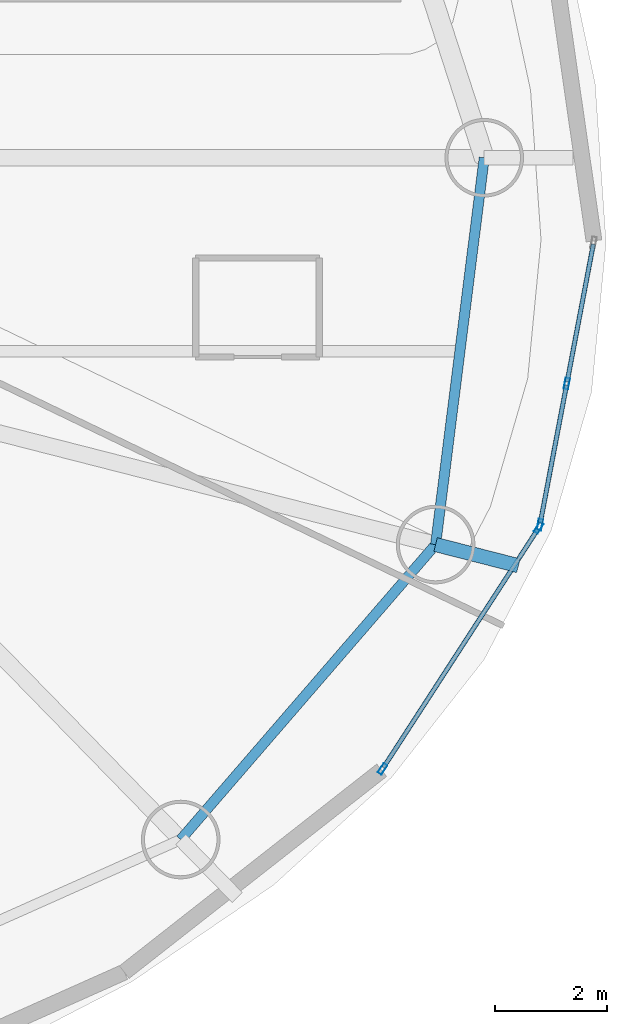
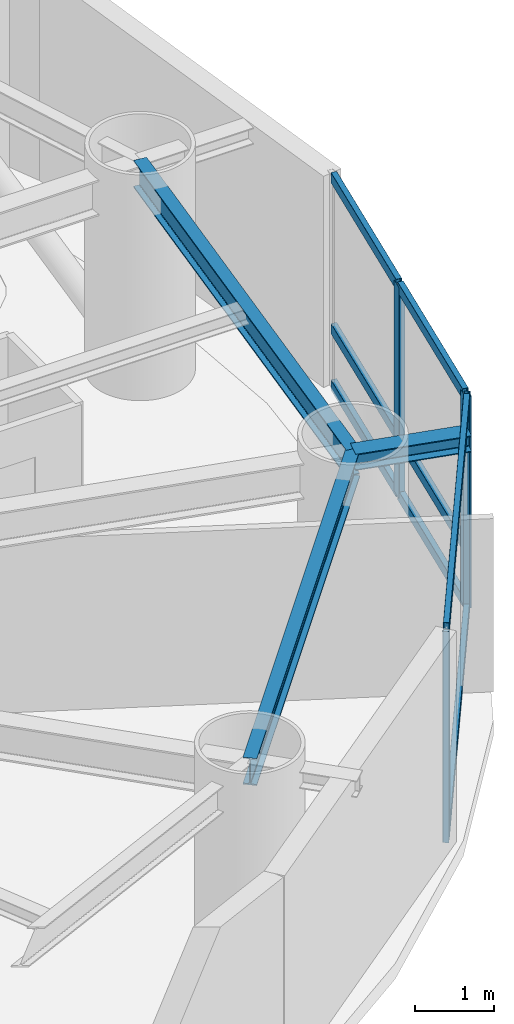
# One storey, part 7 of 22: 12 members, 3 beams, 2 elements without a shape of their own.
"""IFC4 building model written with IfcOpenShell, lengths in metres."""

from ifc_helpers import new_model, si_unit, direction, frame, origin, origin_2d, place, context, subcontext, project, spatial, hollow_rectangle, i_section, extrude, material, layer, layer_set, material_profile, profile_set, type_object, element, aggregate, save


model = new_model("IFC4")

# Units and contexts
model_context = context("Model", 3, precision=1e-05, world=origin(), true_north=direction((0.0, 1.0)))
body_context = subcontext(model_context, "Body", "Model", "MODEL_VIEW")
ifc_project = project(units=[si_unit("LENGTHUNIT", "METRE"), si_unit("AREAUNIT", "SQUARE_METRE"), si_unit("VOLUMEUNIT", "CUBIC_METRE"), si_unit("PLANEANGLEUNIT", "RADIAN"), si_unit("MASSUNIT", "GRAM", prefix="KILO")], contexts=[model_context])

# Site, building, storey
site_placement = place(None, origin())
site = spatial("IfcSite", under=ifc_project, at=site_placement, CompositionType="ELEMENT")
building_placement = place(site_placement, origin())
building = spatial("IfcBuilding", under=site, at=building_placement, Name="Bramvorn Convention Spire", CompositionType="ELEMENT")
storey_placement = place(building_placement, frame((0.0, 0.0, 120.300048828125)))
storey = spatial("IfcBuildingStorey", under=building, at=storey_placement, Name="L29", CompositionType="ELEMENT", Elevation=120.300048828125)

# Beams
ifc_material_1 = material(Name="Steel CSA G40.21 Grade 350 (350W)", Category="steel")
ifc_material_profile_1 = material_profile(ifc_material_1, i_section(OverallWidth=0.25390625, OverallDepth=0.2529296875, WebThickness=0.008544921875, FlangeThickness=0.01416015625, FilletRadius=0.011962890625, at=origin_2d()))
ifc_profile_set_1 = profile_set([ifc_material_profile_1], Name="Steel CSA G40.21 Grade 350 (350W) - W250X73")
beam_type_1 = type_object("IfcBeamType", Name="BM-W250X73", PredefinedType="BEAM", material=ifc_profile_set_1)
beam_1_placement = place(storey_placement, frame((62.11767578125, 15.26220703125, 3.133544921875), z_axis=(0.968854657863, -0.247630070744, 0.0), x_axis=(0.247630070744, 0.968854657863, 0.0)))
element("IfcBeam", 1, at=beam_1_placement, inside=storey, type_object=beam_type_1, Name="L29 slab-edge cantilever tip beam MC01", PredefinedType="BEAM", context=body_context, shape_type="SweptSolid", body=[
    extrude(i_section(OverallWidth=0.25390625, OverallDepth=0.2529296875, WebThickness=0.008544921875, FlangeThickness=0.01416015625, FilletRadius=0.011962890625, at=origin_2d()), origin(), (0.0, 0.0, 1.0), 1.521240234375),
])
ifc_material_profile_2 = material_profile(ifc_material_1, i_section(OverallWidth=0.180908203125, OverallDepth=0.4169921875, WebThickness=0.010986328125, FlangeThickness=0.018310546875, FilletRadius=0.01611328125, at=origin_2d()))
ifc_profile_set_2 = profile_set([ifc_material_profile_2], Name="Steel CSA G40.21 Grade 350 (350W) - W410X85")
beam_type_2 = type_object("IfcBeamType", Name="BM-W410X85", PredefinedType="JOIST", material=ifc_profile_set_2)
beam_2_placement = place(storey_placement, frame((62.11767578125, 15.26220703125, 3.051513671875), z_axis=(0.124775053879, 0.992185056292, 0.0), x_axis=(-0.992185056292, 0.124775053879, 0.0)))
element("IfcBeam", 2, at=beam_2_placement, inside=storey, type_object=beam_type_2, Name="L29 mega-column ring beam 01", PredefinedType="JOIST", context=body_context, shape_type="SweptSolid", body=[
    extrude(i_section(OverallWidth=0.180908203125, OverallDepth=0.4169921875, WebThickness=0.010986328125, FlangeThickness=0.018310546875, FilletRadius=0.01611328125, at=origin_2d()), origin(), (0.0, 0.0, 1.0), 6.940185546875),
])
beam_3_placement = place(storey_placement, frame((57.579833984375, 10.0107421875, 3.051513671875), z_axis=(0.653824993824, 0.756645807132, 0.0), x_axis=(-0.756645807132, 0.653824993824, 0.0)))
element("IfcBeam", 3, at=beam_3_placement, inside=storey, type_object=beam_type_2, Name="L29 mega-column ring beam 16", PredefinedType="JOIST", context=body_context, shape_type="SweptSolid", body=[
    extrude(i_section(OverallWidth=0.180908203125, OverallDepth=0.4169921875, WebThickness=0.010986328125, FlangeThickness=0.018310546875, FilletRadius=0.01611328125, at=origin_2d()), origin(), (0.0, 0.0, 1.0), 6.9404296875),
])

# Curtain wall, members
ifc_material_2 = material(Name="Anodised Bronze Unitised Curtain Wall", Category="aluminium")
ifc_layer = layer(ifc_material_2, 0.179931640625)
ifc_layer_set = layer_set([ifc_layer], Name="Anodised Bronze Unitised Curtain Wall - CW-HTL-FRIT")
curtain_wall_type = type_object("IfcCurtainWallType", Name="CW-HTL-FRIT", PredefinedType="USERDEFINED", material=ifc_layer_set)
curtain_wall_1_placement = place(storey_placement, origin())
curtain_wall_1 = element("IfcCurtainWall", 4, at=curtain_wall_1_placement, inside=storey, type_object=curtain_wall_type, Name="L29 fritted glass curtain wall 01", ObjectType="UNITISED CURTAIN WALL", PredefinedType="USERDEFINED")
ifc_material_3 = material(Name="Anodised Bronze Aluminium 6063-T6", Category="aluminium")
ifc_material_profile_3 = material_profile(ifc_material_3, hollow_rectangle(XDim=0.080078125, YDim=0.199951171875, WallThickness=0.00390625, InnerFilletRadius=0.0009765625, OuterFilletRadius=0.00390625, at=origin_2d()))
ifc_profile_set_3 = profile_set([ifc_material_profile_3], Name="Anodised Bronze Aluminium 6063-T6 - CWM80X200")
member_type_1 = type_object("IfcMemberType", Name="CW-MUL-180", PredefinedType="MULLION", material=ifc_profile_set_3)
member_1_placement = place(storey_placement, frame((64.45361328125, 18.1279296875, 0.0), z_axis=(0.0, 0.0, 1.0), x_axis=(0.982381506928, -0.18688652933, 0.0)))
member_1 = element("IfcMember", 5, at=member_1_placement, type_object=member_type_1, Name="CW2 mullion 2", PredefinedType="MULLION", context=body_context, shape_type="SweptSolid", body=[
    extrude(hollow_rectangle(XDim=0.080078125, YDim=0.199951171875, WallThickness=0.00390625, InnerFilletRadius=0.0009765625, OuterFilletRadius=0.00390625, at=origin_2d()), origin(), (0.0, 0.0, 1.0), 3.260009765625),
])
member_2_placement = place(storey_placement, frame((63.9755859375, 15.615966796875, 0.0), z_axis=(0.0, 0.0, 1.0), x_axis=(0.982381506928, -0.18688652933, 0.0)))
member_2 = element("IfcMember", 6, at=member_2_placement, type_object=member_type_1, Name="CW2 mullion 3", PredefinedType="MULLION", context=body_context, shape_type="SweptSolid", body=[
    extrude(hollow_rectangle(XDim=0.080078125, YDim=0.199951171875, WallThickness=0.00390625, InnerFilletRadius=0.0009765625, OuterFilletRadius=0.00390625, at=origin_2d()), origin(), (0.0, 0.0, 1.0), 3.260009765625),
])

curtain_wall_2_placement = place(storey_placement, origin())
curtain_wall_2 = element("IfcCurtainWall", 7, at=curtain_wall_2_placement, inside=storey, type_object=curtain_wall_type, Name="L29 fritted glass curtain wall 24", ObjectType="UNITISED CURTAIN WALL", PredefinedType="USERDEFINED")
member_3_placement = place(storey_placement, frame((63.95361328125, 15.561279296875, 0.0), z_axis=(0.0, 0.0, 1.0), x_axis=(0.839344537028, -0.543599805152, 0.0)))
member_3 = element("IfcMember", 8, at=member_3_placement, type_object=member_type_1, Name="CW2 mullion 1", PredefinedType="MULLION", context=body_context, shape_type="SweptSolid", body=[
    extrude(hollow_rectangle(XDim=0.080078125, YDim=0.199951171875, WallThickness=0.00390625, InnerFilletRadius=0.0009765625, OuterFilletRadius=0.00390625, at=origin_2d()), origin(), (0.0, 0.0, 1.0), 3.260009765625),
])
member_4_placement = place(storey_placement, frame((61.173583984375, 11.2685546875, 0.0), z_axis=(0.0, 0.0, 1.0), x_axis=(0.839344537028, -0.543599805152, 0.0)))
member_4 = element("IfcMember", 9, at=member_4_placement, type_object=member_type_1, Name="CW2 mullion 2", PredefinedType="MULLION", context=body_context, shape_type="SweptSolid", body=[
    extrude(hollow_rectangle(XDim=0.080078125, YDim=0.199951171875, WallThickness=0.00390625, InnerFilletRadius=0.0009765625, OuterFilletRadius=0.00390625, at=origin_2d()), origin(), (0.0, 0.0, 1.0), 3.260009765625),
])

# Member
ifc_material_profile_4 = material_profile(ifc_material_3, hollow_rectangle(XDim=0.080078125, YDim=0.159912109375, WallThickness=0.00390625, InnerFilletRadius=0.0009765625, OuterFilletRadius=0.00390625, at=origin_2d()))
ifc_profile_set_4 = profile_set([ifc_material_profile_4], Name="Anodised Bronze Aluminium 6063-T6 - CWT80X160")
member_type_2 = type_object("IfcMemberType", Name="CW-TRN-150", PredefinedType="USERDEFINED", material=ifc_profile_set_4)
member_5_placement = place(storey_placement, frame((64.92578125, 20.610595703125, 0.030029296875), z_axis=(-0.186838045717, -0.982390729126, 0.0), x_axis=(0.982390729126, -0.186838045717, 0.0)))
member_5 = element("IfcMember", 10, at=member_5_placement, type_object=member_type_2, Name="CW2 transom 1.1", ObjectType="TRANSOM", PredefinedType="USERDEFINED", context=body_context, shape_type="SweptSolid", body=[
    extrude(hollow_rectangle(XDim=0.080078125, YDim=0.159912109375, WallThickness=0.00390625, InnerFilletRadius=0.0009765625, OuterFilletRadius=0.00390625, at=origin_2d()), origin(), (0.0, 0.0, 1.0), 2.4970703125),
])

member_6_placement = place(storey_placement, frame((64.92578125, 20.610595703125, 0.89990234375), z_axis=(-0.186838045717, -0.982390729126, 0.0), x_axis=(0.982390729126, -0.186838045717, 0.0)))
member_6 = element("IfcMember", 11, at=member_6_placement, type_object=member_type_2, Name="CW2 transom 1.2", ObjectType="TRANSOM", PredefinedType="USERDEFINED", context=body_context, shape_type="SweptSolid", body=[
    extrude(hollow_rectangle(XDim=0.080078125, YDim=0.159912109375, WallThickness=0.00390625, InnerFilletRadius=0.0009765625, OuterFilletRadius=0.00390625, at=origin_2d()), origin(), (0.0, 0.0, 1.0), 2.4970703125),
])

member_7_placement = place(storey_placement, frame((64.92578125, 20.610595703125, 3.22998046875), z_axis=(-0.186838045717, -0.982390729126, 0.0), x_axis=(0.982390729126, -0.186838045717, 0.0)))
member_7 = element("IfcMember", 12, at=member_7_placement, type_object=member_type_2, Name="CW2 transom 1.3", ObjectType="TRANSOM", PredefinedType="USERDEFINED", context=body_context, shape_type="SweptSolid", body=[
    extrude(hollow_rectangle(XDim=0.080078125, YDim=0.159912109375, WallThickness=0.00390625, InnerFilletRadius=0.0009765625, OuterFilletRadius=0.00390625, at=origin_2d()), origin(), (0.0, 0.0, 1.0), 2.4970703125),
])

member_8_placement = place(storey_placement, frame((64.447998046875, 18.0986328125, 0.030029296875), z_axis=(-0.186932399917, -0.982372779479, 0.0), x_axis=(0.982372779479, -0.186932399917, 0.0)))
member_8 = element("IfcMember", 13, at=member_8_placement, type_object=member_type_2, Name="CW2 transom 2.1", ObjectType="TRANSOM", PredefinedType="USERDEFINED", context=body_context, shape_type="SweptSolid", body=[
    extrude(hollow_rectangle(XDim=0.080078125, YDim=0.159912109375, WallThickness=0.00390625, InnerFilletRadius=0.0009765625, OuterFilletRadius=0.00390625, at=origin_2d()), origin(), (0.0, 0.0, 1.0), 2.4970703125),
])

member_9_placement = place(storey_placement, frame((64.447998046875, 18.0986328125, 0.89990234375), z_axis=(-0.186932399917, -0.982372779479, 0.0), x_axis=(0.982372779479, -0.186932399917, 0.0)))
member_9 = element("IfcMember", 14, at=member_9_placement, type_object=member_type_2, Name="CW2 transom 2.2", ObjectType="TRANSOM", PredefinedType="USERDEFINED", context=body_context, shape_type="SweptSolid", body=[
    extrude(hollow_rectangle(XDim=0.080078125, YDim=0.159912109375, WallThickness=0.00390625, InnerFilletRadius=0.0009765625, OuterFilletRadius=0.00390625, at=origin_2d()), origin(), (0.0, 0.0, 1.0), 2.4970703125),
])

member_10_placement = place(storey_placement, frame((64.447998046875, 18.0986328125, 3.22998046875), z_axis=(-0.186932399917, -0.982372779479, 0.0), x_axis=(0.982372779479, -0.186932399917, 0.0)))
member_10 = element("IfcMember", 15, at=member_10_placement, type_object=member_type_2, Name="CW2 transom 2.3", ObjectType="TRANSOM", PredefinedType="USERDEFINED", context=body_context, shape_type="SweptSolid", body=[
    extrude(hollow_rectangle(XDim=0.080078125, YDim=0.159912109375, WallThickness=0.00390625, InnerFilletRadius=0.0009765625, OuterFilletRadius=0.00390625, at=origin_2d()), origin(), (0.0, 0.0, 1.0), 2.4970703125),
])

aggregate(curtain_wall_1, [member_1, member_2, member_5, member_6, member_7, member_8, member_9, member_10])

member_11_placement = place(storey_placement, frame((63.9375, 15.5361328125, 0.030029296875), z_axis=(-0.543627735701, -0.839326447204, 0.0), x_axis=(0.839326447204, -0.543627735701, 0.0)))
member_11 = element("IfcMember", 16, at=member_11_placement, type_object=member_type_2, Name="CW2 transom 1.1", ObjectType="TRANSOM", PredefinedType="USERDEFINED", context=body_context, shape_type="SweptSolid", body=[
    extrude(hollow_rectangle(XDim=0.080078125, YDim=0.159912109375, WallThickness=0.00390625, InnerFilletRadius=0.0009765625, OuterFilletRadius=0.00390625, at=origin_2d()), origin(), (0.0, 0.0, 1.0), 5.0546875),
])

member_12_placement = place(storey_placement, frame((63.9375, 15.5361328125, 3.22998046875), z_axis=(-0.543627735701, -0.839326447204, 0.0), x_axis=(0.839326447204, -0.543627735701, 0.0)))
member_12 = element("IfcMember", 17, at=member_12_placement, type_object=member_type_2, Name="CW2 transom 1.2", ObjectType="TRANSOM", PredefinedType="USERDEFINED", context=body_context, shape_type="SweptSolid", body=[
    extrude(hollow_rectangle(XDim=0.080078125, YDim=0.159912109375, WallThickness=0.00390625, InnerFilletRadius=0.0009765625, OuterFilletRadius=0.00390625, at=origin_2d()), origin(), (0.0, 0.0, 1.0), 5.0546875),
])

aggregate(curtain_wall_2, [member_3, member_4, member_11, member_12])

save(model, "model.ifc")
